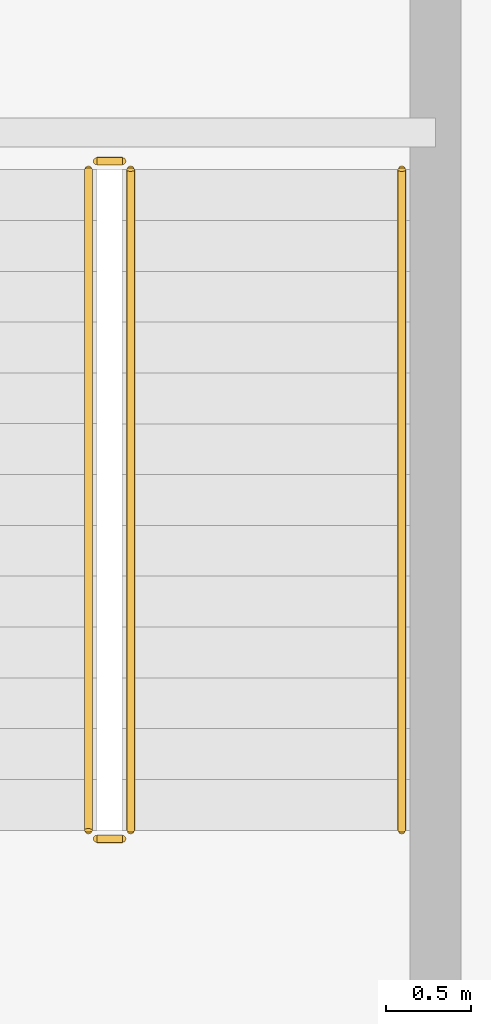
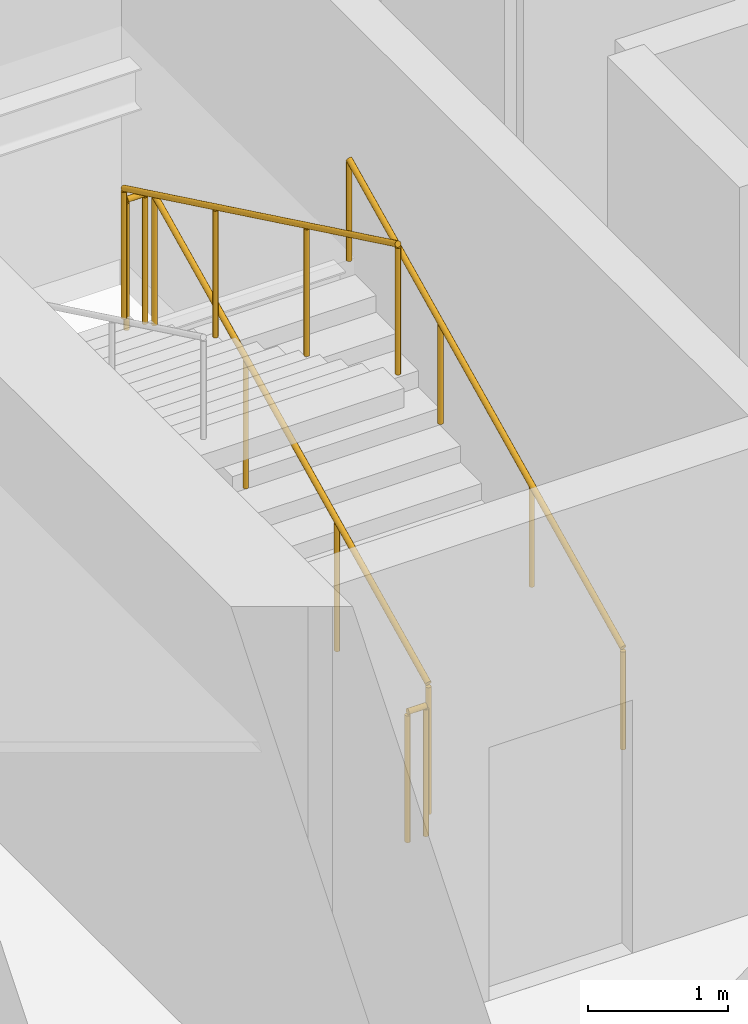
# One storey, part 32 of 35: 5 railings.
"""IFC4 building model written with IfcOpenShell, lengths in metres."""

import ifcopenshell
import ifcopenshell.guid

model = None  # the IFC model being written
_history = None  # IfcOwnerHistory: only IFC2X3 demands one
_inside = {}  # id of a spatial element -> (the spatial element, [elements in it])
_under = {}  # id of a project, library or spatial element -> (it, [spatial elements below it])
_declared = {}  # id of a project -> (the project, [libraries it declares])
_typed = {}  # id of a type object -> (the type object, [elements of that type])
_made_of = {}  # id of a material, layer set ... -> (it, [elements and type objects made of it])


def new_model(schema):
    """Start an empty IFC model of exactly this schema.

    Asked for "IFC4X3", IfcOpenShell would pick the latest addendum, in which some entities
    have other attributes; the version numbers below select the first issue.
    IFC2X3 requires an IfcOwnerHistory on every rooted entity: one is made here for all.
    """
    global model, _history
    if schema == "IFC4X3":
        model = ifcopenshell.file(schema_version=(4, 3, 0, 0))
    else:
        model = ifcopenshell.file(schema=schema)
    _inside.clear()
    _under.clear()
    _declared.clear()
    _typed.clear()
    _made_of.clear()
    _history = None
    if model.schema == "IFC2X3":
        org = make("IfcOrganization", Name="unknown")
        user = make(
            "IfcPersonAndOrganization",
            ThePerson=make("IfcPerson", FamilyName="unknown"),
            TheOrganization=org,
        )
        app = make(
            "IfcApplication",
            ApplicationDeveloper=org,
            Version="unknown",
            ApplicationFullName="unknown",
            ApplicationIdentifier="unknown",
        )
        _history = make(
            "IfcOwnerHistory",
            OwningUser=user,
            OwningApplication=app,
            ChangeAction="ADDED",
            CreationDate=0,
        )
    return model


def make(cls, **values):
    """One entity of the class cls with the attributes given. An attribute that is None is left unset."""
    return model.create_entity(
        cls, **{name: value for name, value in values.items() if value is not None}
    )


def rooted(cls, **values):
    """An entity with a GlobalId (a new one), such as an element, a storey or a relation."""
    return make(cls, GlobalId=ifcopenshell.guid.new(), OwnerHistory=_history, **values)


def si_unit(unit_type, name, prefix=None):
    """IfcSIUnit, for example si_unit("LENGTHUNIT", "METRE", prefix="MILLI")."""
    return make("IfcSIUnit", UnitType=unit_type, Prefix=prefix, Name=name)


def assignment(units):
    """IfcUnitAssignment: the units of a project."""
    return None if units is None else make("IfcUnitAssignment", Units=units)


def point(xyz):
    """IfcCartesianPoint."""
    return None if xyz is None else make("IfcCartesianPoint", Coordinates=xyz)


def direction(xyz):
    """IfcDirection."""
    return None if xyz is None else make("IfcDirection", DirectionRatios=xyz)


def frame(location, z_axis=None, x_axis=None):
    """IfcAxis2Placement3D, a coordinate frame: its origin and axes. An axis left out is left unset."""
    return make(
        "IfcAxis2Placement3D",
        Location=point(location),
        Axis=direction(z_axis),
        RefDirection=direction(x_axis),
    )


def frame_2d(location, x_axis=None):
    """IfcAxis2Placement2D, a coordinate frame in the plane: its origin and x axis."""
    return make(
        "IfcAxis2Placement2D", Location=point(location), RefDirection=direction(x_axis)
    )


def origin():
    """The frame at (0, 0, 0) with its axes left unset."""
    return frame((0.0, 0.0, 0.0))


def origin_2d():
    """The frame at (0, 0) in the plane with its x axis left unset."""
    return frame_2d((0.0, 0.0))


def place(relative_to, where):
    """IfcLocalPlacement: puts the frame where relative to a parent placement (None: the world)."""
    return make(
        "IfcLocalPlacement", PlacementRelTo=relative_to, RelativePlacement=where
    )


def context(
    kind, dimensions, precision=None, world=None, true_north=None, identifier=None
):
    """IfcGeometricRepresentationContext, for example the 3D "Model" context."""
    return make(
        "IfcGeometricRepresentationContext",
        ContextIdentifier=identifier,
        ContextType=kind,
        CoordinateSpaceDimension=dimensions,
        Precision=precision,
        WorldCoordinateSystem=world,
        TrueNorth=true_north,
    )


def subcontext(parent, identifier, kind, view, scale=None):
    """IfcGeometricRepresentationSubContext, for example "Body" below "Model"."""
    return make(
        "IfcGeometricRepresentationSubContext",
        ContextIdentifier=identifier,
        ContextType=kind,
        ParentContext=parent,
        TargetScale=scale,
        TargetView=view,
    )


def project(units=None, contexts=None):
    """IfcProject with its units and contexts."""
    return rooted(
        "IfcProject",
        Name="project",
        RepresentationContexts=contexts,
        UnitsInContext=assignment(units),
    )


def spatial(cls, under=None, at=None, **own):
    """A site, building, storey or space (cls), placed at a placement, below another one or the project."""
    s = rooted(cls, ObjectPlacement=at, **own)
    if under is not None:
        _under.setdefault(under.id(), (under, []))[1].append(s)
    return s


def profile(cls, at=None, kind="AREA", **sizes):
    """A parametric profile (cls). Its sizes go by their IFC names, for example OverallWidth=200.0."""
    return make(cls, ProfileType=kind, Position=at, **sizes)


def circle(**sizes):
    """IfcCircleProfileDef."""
    return profile("IfcCircleProfileDef", **sizes)


def extrude(swept, where, along, depth):
    """IfcExtrudedAreaSolid: the profile swept, set in the frame where, extruded along a direction by depth."""
    return make(
        "IfcExtrudedAreaSolid",
        SweptArea=swept,
        Position=where,
        ExtrudedDirection=direction(along),
        Depth=depth,
    )


def shape(context_of_items, identifier, shape_type, items):
    """IfcShapeRepresentation: the items that make up one representation, for example the "Body"."""
    return make(
        "IfcShapeRepresentation",
        ContextOfItems=context_of_items,
        RepresentationIdentifier=identifier,
        RepresentationType=shape_type,
        Items=items,
    )


def material(Name=None, Category=None):
    """IfcMaterial."""
    return make("IfcMaterial", Name=Name, Category=Category)


def made_of(thing, what):
    """Note that an element or type object is made of a material, layer set ...; save() writes the relation."""
    if what is not None:
        _made_of.setdefault(what.id(), (what, []))[1].append(thing)
    return thing


def type_object(cls, material=None, **own):
    """A type object (cls), such as IfcWallType, which elements share."""
    return made_of(rooted(cls, **own), material)


def element(
    cls,
    number,
    at=None,
    inside=None,
    cuts=None,
    type_object=None,
    material=None,
    context=None,
    identifier="Body",
    shape_type=None,
    held_by="IfcProductDefinitionShape",
    body=None,
    shapes=None,
    **own,
):
    """One element of the class cls, such as IfcWall. Its Tag is "e" and its number.

    at: its placement. inside: the storey or other place that contains it. cuts: it is an
    opening in that element (IfcRelVoidsElement). A single representation is given by context,
    identifier, shape_type and body (its items); several are given by shapes. held_by: the class
    of the entity that holds the representations. save() writes the other relations.
    """
    e = rooted(cls, Tag="e%d" % number, ObjectPlacement=at, **own)
    if body is not None:
        shapes = [shape(context, identifier, shape_type, body)]
    if shapes is not None:
        e.Representation = make(held_by, Representations=shapes)
    if inside is not None:
        _inside.setdefault(inside.id(), (inside, []))[1].append(e)
    if cuts is not None:
        rooted(
            "IfcRelVoidsElement", RelatingBuildingElement=cuts, RelatedOpeningElement=e
        )
    if type_object is not None:
        _typed.setdefault(type_object.id(), (type_object, []))[1].append(e)
    return made_of(e, material)


def aggregate(whole, parts):
    """IfcRelAggregates: a whole, such as a stair, and the parts it consists of."""
    return rooted("IfcRelAggregates", RelatingObject=whole, RelatedObjects=parts)


def save(model, path):
    """Write the relations noted so far, then the file.

    IfcRelAggregates (storeys below a building ...), IfcRelContainedInSpatialStructure (elements
    in a storey), IfcRelDefinesByType, IfcRelAssociatesMaterial and IfcRelDeclares: one each for
    every whole, place, type object, material and project.
    """
    for whole, parts in _under.values():
        aggregate(whole, parts)
    for where, things in _inside.values():
        rooted(
            "IfcRelContainedInSpatialStructure",
            RelatedElements=things,
            RelatingStructure=where,
        )
    for kind, things in _typed.values():
        rooted("IfcRelDefinesByType", RelatedObjects=things, RelatingType=kind)
    for what, things in _made_of.values():
        rooted("IfcRelAssociatesMaterial", RelatedObjects=things, RelatingMaterial=what)
    for by, libraries in _declared.values():
        rooted("IfcRelDeclares", RelatingContext=by, RelatedDefinitions=libraries)
    model.write(path)


model = new_model("IFC4")

# Units and contexts
model_context = context("Model", 3, precision=1e-05, world=origin(), true_north=direction((0.0, 1.0)))
body_context = subcontext(model_context, "Body", "Model", "MODEL_VIEW")
ifc_project = project(units=[si_unit("LENGTHUNIT", "METRE"), si_unit("AREAUNIT", "SQUARE_METRE"), si_unit("VOLUMEUNIT", "CUBIC_METRE"), si_unit("PLANEANGLEUNIT", "RADIAN"), si_unit("MASSUNIT", "GRAM", prefix="KILO")], contexts=[model_context])

# Site, building, storey
site_placement = place(None, origin())
site = spatial("IfcSite", under=ifc_project, at=site_placement, CompositionType="ELEMENT")
building_placement = place(site_placement, origin())
building = spatial("IfcBuilding", under=site, at=building_placement, Name="Punatoya Terracotta Tower", CompositionType="ELEMENT")
storey_placement = place(building_placement, frame((0.0, 0.0, 52.5)))
storey = spatial("IfcBuildingStorey", under=building, at=storey_placement, Name="L11", CompositionType="ELEMENT", Elevation=52.5)

# Railings
ifc_material = material(Name="Steel S355", Category="steel")
railing_type_1 = type_object("IfcRailingType", Name="RLG-GRD-1150", PredefinedType="GUARDRAIL", material=ifc_material)
railing_1_placement = place(storey_placement, frame((-7.85009765625, -3.800048828125, 0.14453125)))
element("IfcRailing", 1, at=railing_1_placement, inside=storey, type_object=railing_type_1, Name="L11 ST-1 stair guard 1", PredefinedType="GUARDRAIL", context=body_context, shape_type="SweptSolid", body=[
    extrude(circle(Radius=0.02392578125, at=origin_2d()), frame((0.0, 0.0, 1.1259765625), z_axis=(0.0, 0.900773802044, 0.434288564841), x_axis=(-1.0, 0.0, 0.0)), (0.0, 0.0, 1.0), 4.329833984375),
    extrude(circle(Radius=0.02099609375, at=origin_2d()), origin(), (0.0, 0.0, 1.0), 1.101806640625),
    extrude(circle(Radius=0.02099609375, at=origin_2d()), frame((0.0, 1.300048828125, 0.626708984375)), (0.0, 0.0, 1.0), 1.101806640625),
    extrude(circle(Radius=0.02099609375, at=origin_2d()), frame((0.0, 2.60009765625, 1.253662109375)), (0.0, 0.0, 1.0), 1.101806640625),
    extrude(circle(Radius=0.02099609375, at=origin_2d()), frame((0.0, 3.900146484375, 1.88037109375)), (0.0, 0.0, 1.0), 1.101806640625),
])
railing_2_placement = place(storey_placement, frame((-7.89990234375, 0.14990234375, 2.02490234375)))
element("IfcRailing", 2, at=railing_2_placement, inside=storey, type_object=railing_type_1, Name="L11 ST-1 stair guard 2", PredefinedType="GUARDRAIL", context=body_context, shape_type="SweptSolid", body=[
    extrude(circle(Radius=0.02392578125, at=origin_2d()), frame((0.0, 0.0, 1.1259765625), z_axis=(-1.0, 0.0, 0.0), x_axis=(0.0, -1.0, 0.0)), (0.0, 0.0, 1.0), 0.150146484375),
    extrude(circle(Radius=0.02099609375, at=origin_2d()), origin(), (0.0, 0.0, 1.0), 1.101806640625),
    extrude(circle(Radius=0.02099609375, at=origin_2d()), frame((-0.150146484375, 0.0, 0.0)), (0.0, 0.0, 1.0), 1.101806640625),
])
railing_3_placement = place(storey_placement, frame((-8.10009765625, 0.10009765625, 2.169677734375)))
element("IfcRailing", 3, at=railing_3_placement, inside=storey, type_object=railing_type_1, Name="L11 ST-1 stair guard 3", PredefinedType="GUARDRAIL", context=body_context, shape_type="SweptSolid", body=[
    extrude(circle(Radius=0.02392578125, at=origin_2d()), frame((0.0, 0.0, 1.1259765625), z_axis=(0.0, -0.900773802044, 0.434288564841), x_axis=(1.0, 0.0, 0.0)), (0.0, 0.0, 1.0), 4.329833984375),
    extrude(circle(Radius=0.02099609375, at=origin_2d()), origin(), (0.0, 0.0, 1.0), 1.101806640625),
    extrude(circle(Radius=0.02099609375, at=origin_2d()), frame((0.0, -1.300048828125, 0.626708984375)), (0.0, 0.0, 1.0), 1.101806640625),
    extrude(circle(Radius=0.02099609375, at=origin_2d()), frame((0.0, -2.60009765625, 1.253662109375)), (0.0, 0.0, 1.0), 1.101806640625),
    extrude(circle(Radius=0.02099609375, at=origin_2d()), frame((0.0, -3.900146484375, 1.88037109375)), (0.0, 0.0, 1.0), 1.101806640625),
])
railing_4_placement = place(storey_placement, frame((-7.89990234375, -3.85009765625, 0.0)))
element("IfcRailing", 4, at=railing_4_placement, inside=storey, type_object=railing_type_1, Name="L11 ST-1 stair guard 4", PredefinedType="GUARDRAIL", context=body_context, shape_type="SweptSolid", body=[
    extrude(circle(Radius=0.02392578125, at=origin_2d()), frame((0.0, 0.0, 1.1259765625), z_axis=(-1.0, 0.0, 0.0), x_axis=(0.0, -1.0, 0.0)), (0.0, 0.0, 1.0), 0.150146484375),
    extrude(circle(Radius=0.02099609375, at=origin_2d()), origin(), (0.0, 0.0, 1.0), 1.101806640625),
    extrude(circle(Radius=0.02099609375, at=origin_2d()), frame((-0.150146484375, 0.0, 0.0)), (0.0, 0.0, 1.0), 1.101806640625),
])
railing_type_2 = type_object("IfcRailingType", Name="RLG-HND-900", PredefinedType="HANDRAIL", material=ifc_material)
railing_5_placement = place(storey_placement, frame((-6.25, -3.800048828125, 0.14453125)))
element("IfcRailing", 5, at=railing_5_placement, inside=storey, type_object=railing_type_2, Name="L11 ST-1 stair handrail 1", PredefinedType="HANDRAIL", context=body_context, shape_type="SweptSolid", body=[
    extrude(circle(Radius=0.02392578125, at=origin_2d()), frame((0.0, 0.0, 0.8759765625), z_axis=(0.0, 0.900773802044, 0.434288564841), x_axis=(-1.0, 0.0, 0.0)), (0.0, 0.0, 1.0), 4.329833984375),
    extrude(circle(Radius=0.02099609375, at=origin_2d()), origin(), (0.0, 0.0, 1.0), 0.851806640625),
    extrude(circle(Radius=0.02099609375, at=origin_2d()), frame((0.0, 1.300048828125, 0.626708984375)), (0.0, 0.0, 1.0), 0.851806640625),
    extrude(circle(Radius=0.02099609375, at=origin_2d()), frame((0.0, 2.60009765625, 1.253662109375)), (0.0, 0.0, 1.0), 0.851806640625),
    extrude(circle(Radius=0.02099609375, at=origin_2d()), frame((0.0, 3.900146484375, 1.88037109375)), (0.0, 0.0, 1.0), 0.851806640625),
])

save(model, "model.ifc")
